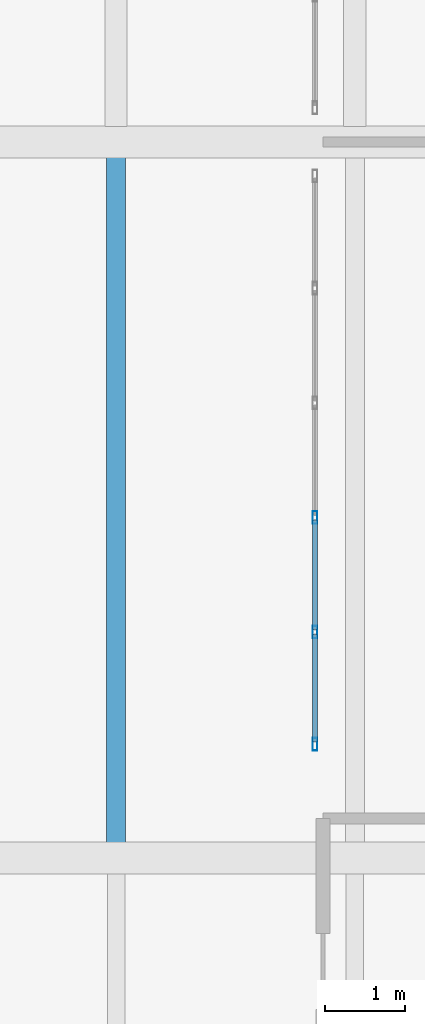
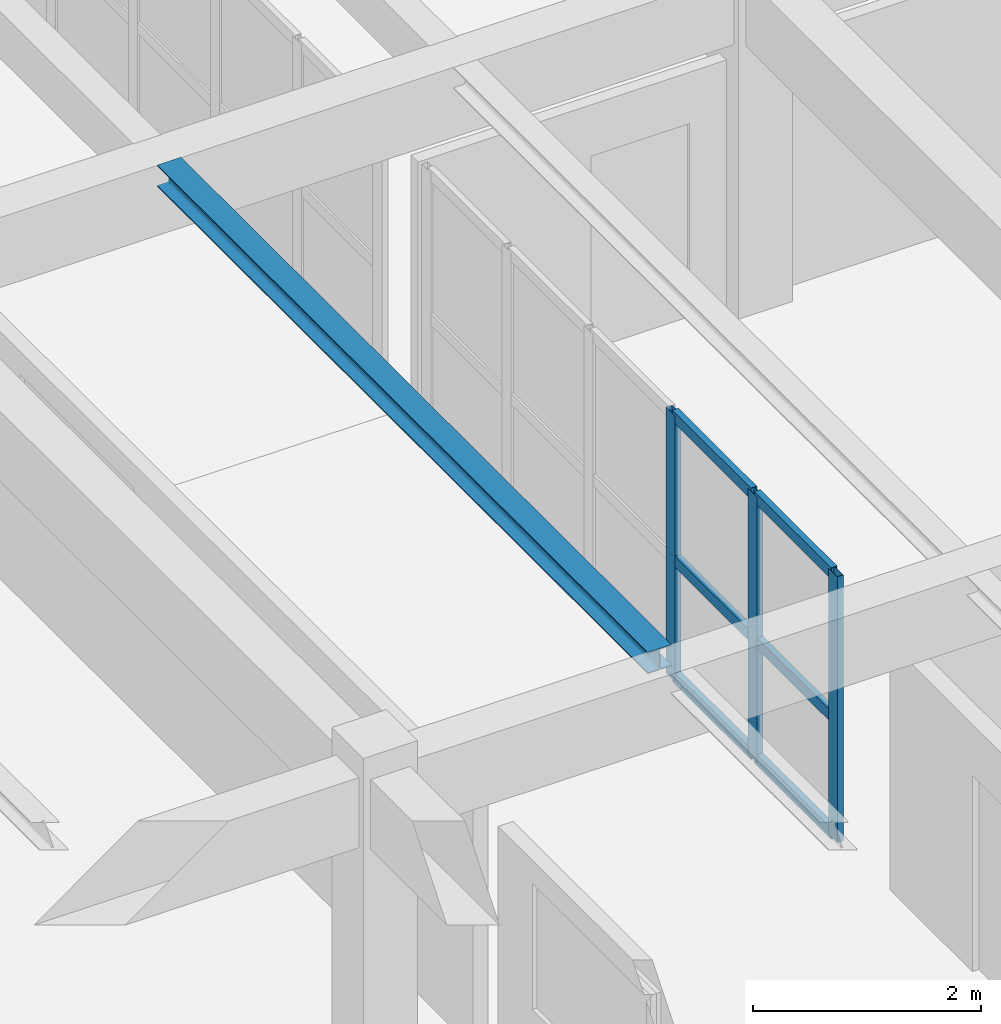
# One storey, part 81 of 156: 9 members, 1 beam, 1 element without a shape of its own.
"""IFC4 building model written with IfcOpenShell, lengths in metres."""

from ifc_helpers import new_model, si_unit, direction, frame, origin, origin_2d, place, context, subcontext, project, spatial, hollow_rectangle, i_section, extrude, material, layer, layer_set, material_profile, profile_set, type_object, element, aggregate, save


model = new_model("IFC4")

# Units and contexts
model_context = context("Model", 3, precision=1e-05, world=origin(), true_north=direction((0.0, 1.0)))
body_context = subcontext(model_context, "Body", "Model", "MODEL_VIEW")
ifc_project = project(units=[si_unit("LENGTHUNIT", "METRE"), si_unit("AREAUNIT", "SQUARE_METRE"), si_unit("VOLUMEUNIT", "CUBIC_METRE"), si_unit("PLANEANGLEUNIT", "RADIAN"), si_unit("MASSUNIT", "GRAM", prefix="KILO")], contexts=[model_context])

# Site, building, storey
site_placement = place(None, origin())
site = spatial("IfcSite", under=ifc_project, at=site_placement, CompositionType="ELEMENT")
building_placement = place(site_placement, origin())
building = spatial("IfcBuilding", under=site, at=building_placement, Name="Ornek Quay Market", CompositionType="ELEMENT")
storey_placement = place(building_placement, frame((0.0, 0.0, 4.5)))
storey = spatial("IfcBuildingStorey", under=building, at=storey_placement, Name="L01", CompositionType="ELEMENT", Elevation=4.5)

# Beam
ifc_material_1 = material(Name="Steel S355", Category="steel")
ifc_material_profile_1 = material_profile(ifc_material_1, i_section(OverallWidth=0.239990234375, OverallDepth=0.22998046875, WebThickness=0.007568359375, FlangeThickness=0.011962890625, FilletRadius=0.02099609375, at=origin_2d()), Name="HEA 240", Category="steel")
ifc_profile_set_1 = profile_set([ifc_material_profile_1], Name="Steel S355")
beam_type = type_object("IfcBeamType", Name="BM-STL-HEA240", PredefinedType="BEAM", material=ifc_profile_set_1)
beam_placement = place(storey_placement, frame((165.0, 29.19189453125, 3.534912109375), z_axis=(0.0, 1.0, 0.0), x_axis=(-1.0, 0.0, 0.0)))
element("IfcBeam", 1, at=beam_placement, inside=storey, type_object=beam_type, Name="Secondary joist SB-14-025", PredefinedType="BEAM", context=body_context, shape_type="SweptSolid", body=[
    extrude(i_section(OverallWidth=0.239990234375, OverallDepth=0.22998046875, WebThickness=0.007568359375, FlangeThickness=0.011962890625, FilletRadius=0.02099609375, at=origin_2d()), origin(), (0.0, 0.0, 1.0), 8.6162109375),
])

# Curtain wall, members
ifc_material_2 = material(Name="Anodised bronze aluminium and triple low-e glass", Category="aluminium")
ifc_layer = layer(ifc_material_2, 0.139892578125, Name="Anodised bronze aluminium and triple low-e glass", Category="aluminium")
ifc_layer_set = layer_set([ifc_layer], Name="Anodised bronze aluminium and triple low-e glass")
curtain_wall_type = type_object("IfcCurtainWallType", Name="CW-GALLERY-INT", PredefinedType="USERDEFINED", material=ifc_layer_set)
curtain_wall_placement = place(storey_placement, origin())
curtain_wall = element("IfcCurtainWall", 2, at=curtain_wall_placement, inside=storey, type_object=curtain_wall_type, Name="Curtain wall CW-163", ObjectType="CURTAIN WALL", PredefinedType="USERDEFINED")
ifc_material_3 = material(Name="Anodised aluminium 6063-T6", Category="aluminium")
ifc_material_profile_2 = material_profile(ifc_material_3, hollow_rectangle(XDim=0.06005859375, YDim=0.159912109375, WallThickness=0.00390625, at=origin_2d()), Name="CW-MUL-60x160", Category="aluminium")
ifc_profile_set_2 = profile_set([ifc_material_profile_2], Name="Anodised aluminium 6063-T6")
member_type_1 = type_object("IfcMemberType", Name="CW-MUL-60x160", PredefinedType="MULLION", material=ifc_profile_set_2)
member_1_placement = place(storey_placement, frame((167.5, 30.429931640625, 0.0), z_axis=(0.0, 0.0, 1.0), x_axis=(-1.0, 0.0, 0.0)))
member_1 = element("IfcMember", 3, at=member_1_placement, type_object=member_type_1, Name="CW-163 mullion 1", PredefinedType="MULLION", context=body_context, shape_type="SweptSolid", body=[
    extrude(hollow_rectangle(XDim=0.06005859375, YDim=0.159912109375, WallThickness=0.00390625, at=origin_2d()), origin(), (0.0, 0.0, 1.0), 2.85009765625),
])
member_2_placement = place(storey_placement, frame((167.5, 31.840087890625, 0.0), z_axis=(0.0, 0.0, 1.0), x_axis=(-1.0, 0.0, 0.0)))
member_2 = element("IfcMember", 4, at=member_2_placement, type_object=member_type_1, Name="CW-163 mullion 2", PredefinedType="MULLION", context=body_context, shape_type="SweptSolid", body=[
    extrude(hollow_rectangle(XDim=0.06005859375, YDim=0.159912109375, WallThickness=0.00390625, at=origin_2d()), origin(), (0.0, 0.0, 1.0), 2.85009765625),
])
member_3_placement = place(storey_placement, frame((167.5, 33.280029296875, 0.0), z_axis=(0.0, 0.0, 1.0), x_axis=(-1.0, 0.0, 0.0)))
member_3 = element("IfcMember", 5, at=member_3_placement, type_object=member_type_1, Name="CW-163 mullion 3", PredefinedType="MULLION", context=body_context, shape_type="SweptSolid", body=[
    extrude(hollow_rectangle(XDim=0.06005859375, YDim=0.159912109375, WallThickness=0.00390625, at=origin_2d()), origin(), (0.0, 0.0, 1.0), 2.85009765625),
])
ifc_material_profile_3 = material_profile(ifc_material_3, hollow_rectangle(XDim=0.06005859375, YDim=0.1201171875, WallThickness=0.00390625, at=origin_2d()), Name="CW-TRN-60x120", Category="aluminium")
ifc_profile_set_3 = profile_set([ifc_material_profile_3], Name="Anodised aluminium 6063-T6")
member_type_2 = type_object("IfcMemberType", Name="CW-TRN-60x120", PredefinedType="USERDEFINED", material=ifc_profile_set_3)
member_4_placement = place(storey_placement, frame((167.5, 30.4599609375, 0.030029296875), z_axis=(0.0, 1.0, 0.0), x_axis=(-1.0, 0.0, 0.0)))
member_4 = element("IfcMember", 6, at=member_4_placement, type_object=member_type_2, Name="CW-163 transom 1.1", ObjectType="TRANSOM", PredefinedType="USERDEFINED", context=body_context, shape_type="SweptSolid", body=[
    extrude(hollow_rectangle(XDim=0.06005859375, YDim=0.1201171875, WallThickness=0.00390625, at=origin_2d()), origin(), (0.0, 0.0, 1.0), 1.35009765625),
])
member_5_placement = place(storey_placement, frame((167.5, 30.4599609375, 1.282470703125), z_axis=(0.0, 1.0, 0.0), x_axis=(-1.0, 0.0, 0.0)))
member_5 = element("IfcMember", 7, at=member_5_placement, type_object=member_type_2, Name="CW-163 transom 1.2", ObjectType="TRANSOM", PredefinedType="USERDEFINED", context=body_context, shape_type="SweptSolid", body=[
    extrude(hollow_rectangle(XDim=0.06005859375, YDim=0.1201171875, WallThickness=0.00390625, at=origin_2d()), origin(), (0.0, 0.0, 1.0), 1.35009765625),
])
member_6_placement = place(storey_placement, frame((167.5, 30.4599609375, 2.820068359375), z_axis=(0.0, 1.0, 0.0), x_axis=(-1.0, 0.0, 0.0)))
member_6 = element("IfcMember", 8, at=member_6_placement, type_object=member_type_2, Name="CW-163 transom 1.3", ObjectType="TRANSOM", PredefinedType="USERDEFINED", context=body_context, shape_type="SweptSolid", body=[
    extrude(hollow_rectangle(XDim=0.06005859375, YDim=0.1201171875, WallThickness=0.00390625, at=origin_2d()), origin(), (0.0, 0.0, 1.0), 1.35009765625),
])
member_7_placement = place(storey_placement, frame((167.5, 31.8701171875, 0.030029296875), z_axis=(0.0, 1.0, 0.0), x_axis=(-1.0, 0.0, 0.0)))
member_7 = element("IfcMember", 9, at=member_7_placement, type_object=member_type_2, Name="CW-163 transom 2.1", ObjectType="TRANSOM", PredefinedType="USERDEFINED", context=body_context, shape_type="SweptSolid", body=[
    extrude(hollow_rectangle(XDim=0.06005859375, YDim=0.1201171875, WallThickness=0.00390625, at=origin_2d()), origin(), (0.0, 0.0, 1.0), 1.3798828125),
])
member_8_placement = place(storey_placement, frame((167.5, 31.8701171875, 1.282470703125), z_axis=(0.0, 1.0, 0.0), x_axis=(-1.0, 0.0, 0.0)))
member_8 = element("IfcMember", 10, at=member_8_placement, type_object=member_type_2, Name="CW-163 transom 2.2", ObjectType="TRANSOM", PredefinedType="USERDEFINED", context=body_context, shape_type="SweptSolid", body=[
    extrude(hollow_rectangle(XDim=0.06005859375, YDim=0.1201171875, WallThickness=0.00390625, at=origin_2d()), origin(), (0.0, 0.0, 1.0), 1.3798828125),
])
member_9_placement = place(storey_placement, frame((167.5, 31.8701171875, 2.820068359375), z_axis=(0.0, 1.0, 0.0), x_axis=(-1.0, 0.0, 0.0)))
member_9 = element("IfcMember", 11, at=member_9_placement, type_object=member_type_2, Name="CW-163 transom 2.3", ObjectType="TRANSOM", PredefinedType="USERDEFINED", context=body_context, shape_type="SweptSolid", body=[
    extrude(hollow_rectangle(XDim=0.06005859375, YDim=0.1201171875, WallThickness=0.00390625, at=origin_2d()), origin(), (0.0, 0.0, 1.0), 1.3798828125),
])
aggregate(curtain_wall, [member_1, member_2, member_3, member_4, member_5, member_6, member_7, member_8, member_9])

save(model, "model.ifc")
